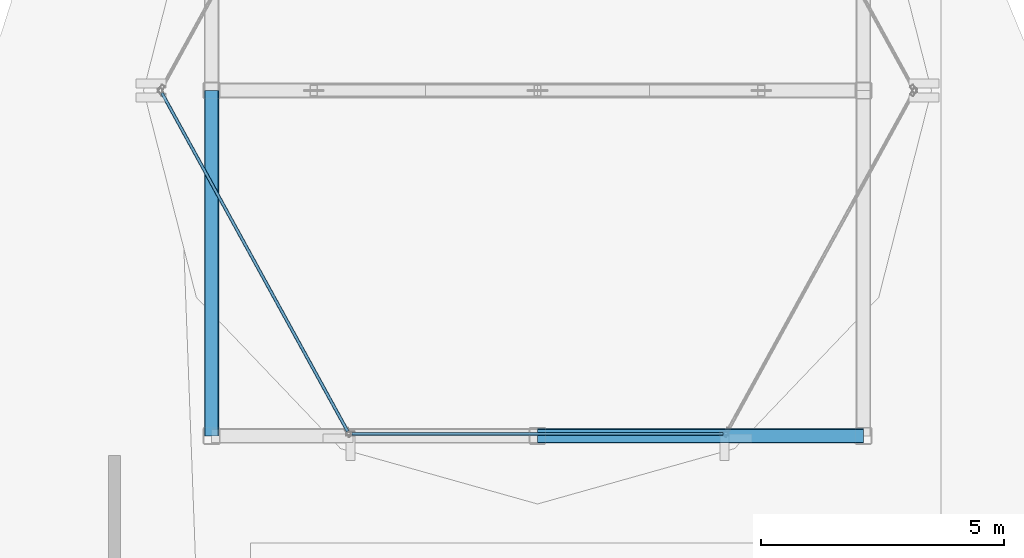
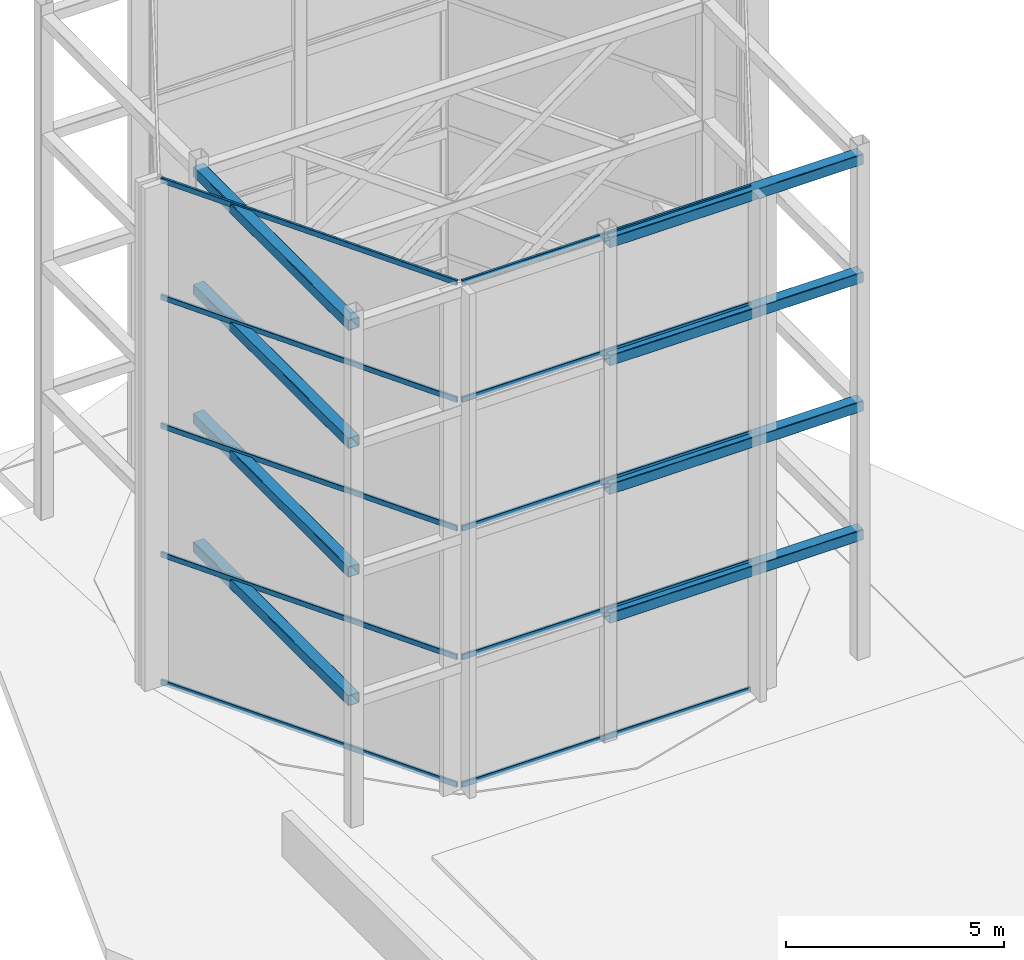
# One storey, part 11 of 24: 10 members, 8 beams, 2 elements without a shape of their own.
"""IFC4 building model written with IfcOpenShell, lengths in metres."""

from ifc_helpers import new_model, si_unit, direction, frame, origin, origin_2d, place, context, subcontext, project, spatial, hollow_rectangle, extrude, material, layer, layer_set, material_profile, profile_set, type_object, element, aggregate, save


model = new_model("IFC4")

# Units and contexts
model_context = context("Model", 3, precision=1e-05, world=origin(), true_north=direction((0.0, 1.0)))
body_context = subcontext(model_context, "Body", "Model", "MODEL_VIEW")
ifc_project = project(units=[si_unit("LENGTHUNIT", "METRE"), si_unit("AREAUNIT", "SQUARE_METRE"), si_unit("VOLUMEUNIT", "CUBIC_METRE"), si_unit("PLANEANGLEUNIT", "RADIAN"), si_unit("MASSUNIT", "GRAM", prefix="KILO")], contexts=[model_context])

# Site, building, storey
site_placement = place(None, origin())
site = spatial("IfcSite", under=ifc_project, at=site_placement, CompositionType="ELEMENT")
building_placement = place(site_placement, origin())
building = spatial("IfcBuilding", under=site, at=building_placement, Name="Solvaryn Broadcast Tower", CompositionType="ELEMENT")
storey_placement = place(building_placement, frame((0.0, 0.0, 307.800048828125)))
storey = spatial("IfcBuildingStorey", under=building, at=storey_placement, Name="Roof Main", CompositionType="ELEMENT", Elevation=307.800048828125)

# Beams
ifc_material_1 = material(Name="Steel ASTM A500 Grade C", Category="steel")
ifc_material_profile_1 = material_profile(ifc_material_1, hollow_rectangle(XDim=0.300048828125, YDim=0.300048828125, WallThickness=0.01416015625, InnerFilletRadius=0.01416015625, OuterFilletRadius=0.0283203125, at=origin_2d()))
ifc_profile_set_1 = profile_set([ifc_material_profile_1], Name="Steel ASTM A500 Grade C")
beam_type = type_object("IfcBeamType", Name="BM-CROWN-RING", PredefinedType="BEAM", material=ifc_profile_set_1)
beam_1_placement = place(storey_placement, frame((17.89990234375, 28.199951171875, 3.449951171875), z_axis=(1.0, 0.0, 0.0), x_axis=(0.0, 1.0, 0.0)))
element("IfcBeam", 1, at=beam_1_placement, inside=storey, type_object=beam_type, Name="Roof Main CROWN FRAME Ring Beam WT1-2", PredefinedType="BEAM", context=body_context, shape_type="SweptSolid", body=[
    extrude(hollow_rectangle(XDim=0.300048828125, YDim=0.300048828125, WallThickness=0.01416015625, InnerFilletRadius=0.01416015625, OuterFilletRadius=0.0283203125, at=origin_2d()), origin(), (0.0, 0.0, 1.0), 6.7001953125),
])
beam_2_placement = place(storey_placement, frame((11.199951171875, 35.300048828125, 3.449951171875), z_axis=(0.0, -1.0, 0.0), x_axis=(1.0, 0.0, 0.0)))
element("IfcBeam", 2, at=beam_2_placement, inside=storey, type_object=beam_type, Name="Roof Main CROWN FRAME Ring Beam WT1-8", PredefinedType="BEAM", context=body_context, shape_type="SweptSolid", body=[
    extrude(hollow_rectangle(XDim=0.300048828125, YDim=0.300048828125, WallThickness=0.01416015625, InnerFilletRadius=0.01416015625, OuterFilletRadius=0.0283203125, at=origin_2d()), origin(), (0.0, 0.0, 1.0), 7.10009765625),
])
beam_3_placement = place(storey_placement, frame((17.89990234375, 28.199951171875, 7.050048828125), z_axis=(1.0, 0.0, 0.0), x_axis=(0.0, 1.0, 0.0)))
element("IfcBeam", 3, at=beam_3_placement, inside=storey, type_object=beam_type, Name="Roof Main CROWN FRAME Ring Beam WT2-2", PredefinedType="BEAM", context=body_context, shape_type="SweptSolid", body=[
    extrude(hollow_rectangle(XDim=0.300048828125, YDim=0.300048828125, WallThickness=0.01416015625, InnerFilletRadius=0.01416015625, OuterFilletRadius=0.0283203125, at=origin_2d()), origin(), (0.0, 0.0, 1.0), 6.7001953125),
])
beam_4_placement = place(storey_placement, frame((11.199951171875, 35.300048828125, 7.050048828125), z_axis=(0.0, -1.0, 0.0), x_axis=(1.0, 0.0, 0.0)))
element("IfcBeam", 4, at=beam_4_placement, inside=storey, type_object=beam_type, Name="Roof Main CROWN FRAME Ring Beam WT2-8", PredefinedType="BEAM", context=body_context, shape_type="SweptSolid", body=[
    extrude(hollow_rectangle(XDim=0.300048828125, YDim=0.300048828125, WallThickness=0.01416015625, InnerFilletRadius=0.01416015625, OuterFilletRadius=0.0283203125, at=origin_2d()), origin(), (0.0, 0.0, 1.0), 7.10009765625),
])
beam_5_placement = place(storey_placement, frame((17.89990234375, 28.199951171875, 10.64990234375), z_axis=(1.0, 0.0, 0.0), x_axis=(0.0, 1.0, 0.0)))
element("IfcBeam", 5, at=beam_5_placement, inside=storey, type_object=beam_type, Name="Roof Main CROWN FRAME Ring Beam WT3-2", PredefinedType="BEAM", context=body_context, shape_type="SweptSolid", body=[
    extrude(hollow_rectangle(XDim=0.300048828125, YDim=0.300048828125, WallThickness=0.01416015625, InnerFilletRadius=0.01416015625, OuterFilletRadius=0.0283203125, at=origin_2d()), origin(), (0.0, 0.0, 1.0), 6.7001953125),
])
beam_6_placement = place(storey_placement, frame((11.199951171875, 35.300048828125, 10.64990234375), z_axis=(0.0, -1.0, 0.0), x_axis=(1.0, 0.0, 0.0)))
element("IfcBeam", 6, at=beam_6_placement, inside=storey, type_object=beam_type, Name="Roof Main CROWN FRAME Ring Beam WT3-8", PredefinedType="BEAM", context=body_context, shape_type="SweptSolid", body=[
    extrude(hollow_rectangle(XDim=0.300048828125, YDim=0.300048828125, WallThickness=0.01416015625, InnerFilletRadius=0.01416015625, OuterFilletRadius=0.0283203125, at=origin_2d()), origin(), (0.0, 0.0, 1.0), 7.10009765625),
])
beam_7_placement = place(storey_placement, frame((17.89990234375, 28.199951171875, 13.949951171875), z_axis=(1.0, 0.0, 0.0), x_axis=(0.0, 1.0, 0.0)))
element("IfcBeam", 7, at=beam_7_placement, inside=storey, type_object=beam_type, Name="Roof Main CROWN FRAME Ring Beam WT4-2", PredefinedType="BEAM", context=body_context, shape_type="SweptSolid", body=[
    extrude(hollow_rectangle(XDim=0.300048828125, YDim=0.300048828125, WallThickness=0.01416015625, InnerFilletRadius=0.01416015625, OuterFilletRadius=0.0283203125, at=origin_2d()), origin(), (0.0, 0.0, 1.0), 6.7001953125),
])
beam_8_placement = place(storey_placement, frame((11.199951171875, 35.300048828125, 13.949951171875), z_axis=(0.0, -1.0, 0.0), x_axis=(1.0, 0.0, 0.0)))
element("IfcBeam", 8, at=beam_8_placement, inside=storey, type_object=beam_type, Name="Roof Main CROWN FRAME Ring Beam WT4-8", PredefinedType="BEAM", context=body_context, shape_type="SweptSolid", body=[
    extrude(hollow_rectangle(XDim=0.300048828125, YDim=0.300048828125, WallThickness=0.01416015625, InnerFilletRadius=0.01416015625, OuterFilletRadius=0.0283203125, at=origin_2d()), origin(), (0.0, 0.0, 1.0), 7.10009765625),
])

# Curtain wall, members
ifc_material_2 = material(Name="Aluminium and Terracotta Unitised Curtain Wall", Category="masonry")
ifc_layer = layer(ifc_material_2, 0.2099609375)
ifc_layer_set = layer_set([ifc_layer], Name="CW-SYS6-CROWN")
curtain_wall_type = type_object("IfcCurtainWallType", Name="CW-SYS6-CROWN", PredefinedType="NOTDEFINED", material=ifc_layer_set)
curtain_wall_1_placement = place(storey_placement, origin())
curtain_wall_1 = element("IfcCurtainWall", 9, at=curtain_wall_1_placement, inside=storey, type_object=curtain_wall_type, Name="Roof Main Split-Top Crown Curtain Wall W4", PredefinedType="NOTDEFINED")
ifc_material_3 = material(Name="Anodised Aluminium 6063-T6", Category="aluminium")
ifc_material_profile_2 = material_profile(ifc_material_3, hollow_rectangle(XDim=0.06494140625, YDim=0.14990234375, WallThickness=0.00390625, InnerFilletRadius=0.00390625, OuterFilletRadius=0.008056640625, at=origin_2d()))
ifc_profile_set_2 = profile_set([ifc_material_profile_2], Name="Anodised Aluminium 6063-T6")
member_type = type_object("IfcMemberType", Name="CW-TRN-150", PredefinedType="USERDEFINED", material=ifc_profile_set_2)
member_1_placement = place(storey_placement, frame((10.178955078125, 35.247314453125, 0.030029296875), z_axis=(0.481259275952, -0.876578296166, 0.0), x_axis=(0.876578296166, 0.481259275952, 0.0)))
member_1 = element("IfcMember", 10, at=member_1_placement, type_object=member_type, Name="CWS6 transom 1.1", ObjectType="TRANSOM", PredefinedType="USERDEFINED", context=body_context, shape_type="SweptSolid", body=[
    extrude(hollow_rectangle(XDim=0.06494140625, YDim=0.14990234375, WallThickness=0.00390625, InnerFilletRadius=0.00390625, OuterFilletRadius=0.008056640625, at=origin_2d()), origin(), (0.0, 0.0, 1.0), 7.931640625),
])
member_2_placement = place(storey_placement, frame((10.178955078125, 35.247314453125, 3.599853515625), z_axis=(0.481259275952, -0.876578296166, 0.0), x_axis=(0.876578296166, 0.481259275952, 0.0)))
member_2 = element("IfcMember", 11, at=member_2_placement, type_object=member_type, Name="CWS6 transom 1.2", ObjectType="TRANSOM", PredefinedType="USERDEFINED", context=body_context, shape_type="SweptSolid", body=[
    extrude(hollow_rectangle(XDim=0.06494140625, YDim=0.14990234375, WallThickness=0.00390625, InnerFilletRadius=0.00390625, OuterFilletRadius=0.008056640625, at=origin_2d()), origin(), (0.0, 0.0, 1.0), 7.931640625),
])
member_3_placement = place(storey_placement, frame((10.178955078125, 35.247314453125, 7.199951171875), z_axis=(0.481259275952, -0.876578296166, 0.0), x_axis=(0.876578296166, 0.481259275952, 0.0)))
member_3 = element("IfcMember", 12, at=member_3_placement, type_object=member_type, Name="CWS6 transom 1.3", ObjectType="TRANSOM", PredefinedType="USERDEFINED", context=body_context, shape_type="SweptSolid", body=[
    extrude(hollow_rectangle(XDim=0.06494140625, YDim=0.14990234375, WallThickness=0.00390625, InnerFilletRadius=0.00390625, OuterFilletRadius=0.008056640625, at=origin_2d()), origin(), (0.0, 0.0, 1.0), 7.931640625),
])
member_4_placement = place(storey_placement, frame((10.178955078125, 35.247314453125, 10.800048828125), z_axis=(0.481259275952, -0.876578296166, 0.0), x_axis=(0.876578296166, 0.481259275952, 0.0)))
member_4 = element("IfcMember", 13, at=member_4_placement, type_object=member_type, Name="CWS6 transom 1.4", ObjectType="TRANSOM", PredefinedType="USERDEFINED", context=body_context, shape_type="SweptSolid", body=[
    extrude(hollow_rectangle(XDim=0.06494140625, YDim=0.14990234375, WallThickness=0.00390625, InnerFilletRadius=0.00390625, OuterFilletRadius=0.008056640625, at=origin_2d()), origin(), (0.0, 0.0, 1.0), 7.931640625),
])
member_5_placement = place(storey_placement, frame((10.178955078125, 35.247314453125, 14.070068359375), z_axis=(0.481259275952, -0.876578296166, 0.0), x_axis=(0.876578296166, 0.481259275952, 0.0)))
member_5 = element("IfcMember", 14, at=member_5_placement, type_object=member_type, Name="CWS6 transom 1.5", ObjectType="TRANSOM", PredefinedType="USERDEFINED", context=body_context, shape_type="SweptSolid", body=[
    extrude(hollow_rectangle(XDim=0.06494140625, YDim=0.14990234375, WallThickness=0.00390625, InnerFilletRadius=0.00390625, OuterFilletRadius=0.008056640625, at=origin_2d()), origin(), (0.0, 0.0, 1.0), 7.931640625),
])
aggregate(curtain_wall_1, [member_1, member_2, member_3, member_4, member_5])

curtain_wall_2_placement = place(storey_placement, origin())
curtain_wall_2 = element("IfcCurtainWall", 15, at=curtain_wall_2_placement, inside=storey, type_object=curtain_wall_type, Name="Roof Main Split-Top Crown Curtain Wall W5", PredefinedType="NOTDEFINED")
member_6_placement = place(storey_placement, frame((14.0849609375, 28.241943359375, 0.030029296875), z_axis=(1.0, 0.0, 0.0), x_axis=(0.0, 1.0, 0.0)))
member_6 = element("IfcMember", 16, at=member_6_placement, type_object=member_type, Name="CWS6 transom 1.1", ObjectType="TRANSOM", PredefinedType="USERDEFINED", context=body_context, shape_type="SweptSolid", body=[
    extrude(hollow_rectangle(XDim=0.06494140625, YDim=0.14990234375, WallThickness=0.00390625, InnerFilletRadius=0.00390625, OuterFilletRadius=0.008056640625, at=origin_2d()), origin(), (0.0, 0.0, 1.0), 7.630126953125),
])
member_7_placement = place(storey_placement, frame((14.0849609375, 28.241943359375, 3.599853515625), z_axis=(1.0, 0.0, 0.0), x_axis=(0.0, 1.0, 0.0)))
member_7 = element("IfcMember", 17, at=member_7_placement, type_object=member_type, Name="CWS6 transom 1.2", ObjectType="TRANSOM", PredefinedType="USERDEFINED", context=body_context, shape_type="SweptSolid", body=[
    extrude(hollow_rectangle(XDim=0.06494140625, YDim=0.14990234375, WallThickness=0.00390625, InnerFilletRadius=0.00390625, OuterFilletRadius=0.008056640625, at=origin_2d()), origin(), (0.0, 0.0, 1.0), 7.630126953125),
])
member_8_placement = place(storey_placement, frame((14.0849609375, 28.241943359375, 7.199951171875), z_axis=(1.0, 0.0, 0.0), x_axis=(0.0, 1.0, 0.0)))
member_8 = element("IfcMember", 18, at=member_8_placement, type_object=member_type, Name="CWS6 transom 1.3", ObjectType="TRANSOM", PredefinedType="USERDEFINED", context=body_context, shape_type="SweptSolid", body=[
    extrude(hollow_rectangle(XDim=0.06494140625, YDim=0.14990234375, WallThickness=0.00390625, InnerFilletRadius=0.00390625, OuterFilletRadius=0.008056640625, at=origin_2d()), origin(), (0.0, 0.0, 1.0), 7.630126953125),
])
member_9_placement = place(storey_placement, frame((14.0849609375, 28.241943359375, 10.800048828125), z_axis=(1.0, 0.0, 0.0), x_axis=(0.0, 1.0, 0.0)))
member_9 = element("IfcMember", 19, at=member_9_placement, type_object=member_type, Name="CWS6 transom 1.4", ObjectType="TRANSOM", PredefinedType="USERDEFINED", context=body_context, shape_type="SweptSolid", body=[
    extrude(hollow_rectangle(XDim=0.06494140625, YDim=0.14990234375, WallThickness=0.00390625, InnerFilletRadius=0.00390625, OuterFilletRadius=0.008056640625, at=origin_2d()), origin(), (0.0, 0.0, 1.0), 7.630126953125),
])
member_10_placement = place(storey_placement, frame((14.0849609375, 28.241943359375, 14.070068359375), z_axis=(1.0, 0.0, 0.0), x_axis=(0.0, 1.0, 0.0)))
member_10 = element("IfcMember", 20, at=member_10_placement, type_object=member_type, Name="CWS6 transom 1.5", ObjectType="TRANSOM", PredefinedType="USERDEFINED", context=body_context, shape_type="SweptSolid", body=[
    extrude(hollow_rectangle(XDim=0.06494140625, YDim=0.14990234375, WallThickness=0.00390625, InnerFilletRadius=0.00390625, OuterFilletRadius=0.008056640625, at=origin_2d()), origin(), (0.0, 0.0, 1.0), 7.630126953125),
])
aggregate(curtain_wall_2, [member_6, member_7, member_8, member_9, member_10])

save(model, "model.ifc")
